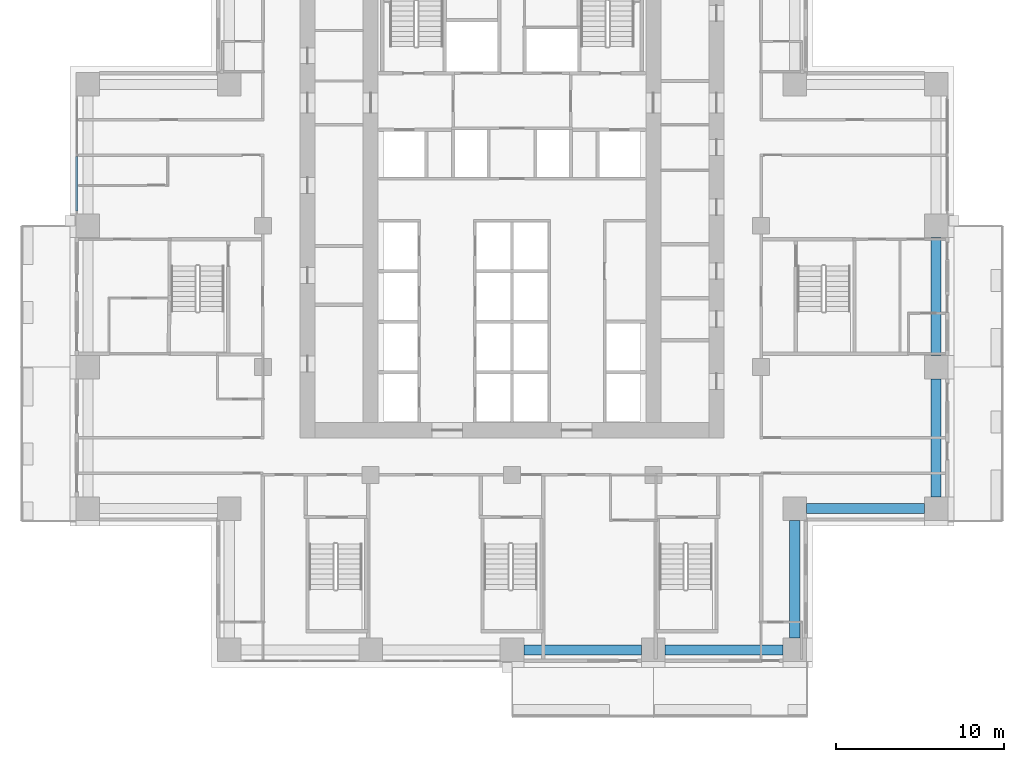
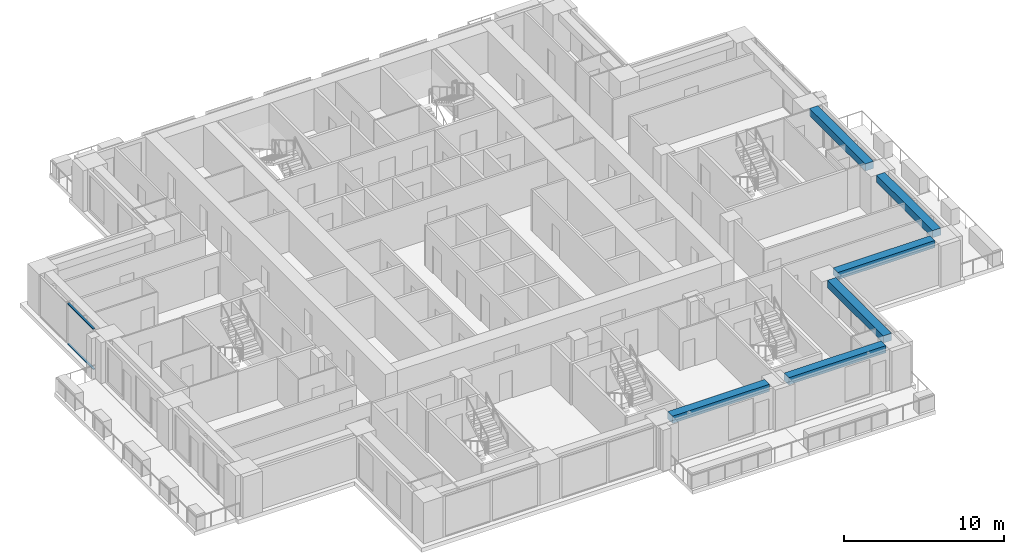
# One storey, part 3 of 17: 6 beams, 2 members, 1 element without a shape of its own.
"""IFC4 building model written with IfcOpenShell, lengths in metres."""

from ifc_helpers import new_model, si_unit, direction, frame, origin, origin_2d, place, context, subcontext, project, spatial, rectangle, extrude, material, material_profile, profile_set, type_object, element, aggregate, save


model = new_model("IFC4")

# Units and contexts
model_context = context("Model", 3, precision=1e-05, world=origin(), true_north=direction((0.0, 1.0)))
body_context = subcontext(model_context, "Body", "Model", "MODEL_VIEW")
ifc_project = project(units=[si_unit("LENGTHUNIT", "METRE"), si_unit("AREAUNIT", "SQUARE_METRE"), si_unit("VOLUMEUNIT", "CUBIC_METRE"), si_unit("PLANEANGLEUNIT", "RADIAN"), si_unit("MASSUNIT", "GRAM", prefix="KILO")], contexts=[model_context])

# Site, building, storey
site_placement = place(None, origin())
site = spatial("IfcSite", under=ifc_project, at=site_placement, CompositionType="ELEMENT")
building_placement = place(site_placement, origin())
building = spatial("IfcBuilding", under=site, at=building_placement, Name="Vermilion Ogive Tower", CompositionType="ELEMENT")
storey_placement = place(building_placement, frame((0.0, 0.0, 51.75)))
storey = spatial("IfcBuildingStorey", under=building, at=storey_placement, Name="L11", CompositionType="ELEMENT", Elevation=51.75)

# Curtain wall, members
ifc_material_1 = material(Name="Low-iron laminated glazing in aluminium frame", Category="aluminium")
curtain_wall_type = type_object("IfcCurtainWallType", Name="Curtain wall CW7", PredefinedType="NOTDEFINED", material=ifc_material_1)
curtain_wall_placement = place(storey_placement, origin())
curtain_wall = element("IfcCurtainWall", 1, at=curtain_wall_placement, inside=storey, type_object=curtain_wall_type, Name="Glazed skin W1", PredefinedType="NOTDEFINED")
ifc_material_2 = material(Name="Aluminium transom", Category="aluminium")
ifc_material_profile_1 = material_profile(ifc_material_2, rectangle(XDim=0.139892578125, YDim=0.06005859375, at=origin_2d()), Name="AL 60x140")
ifc_profile_set_1 = profile_set([ifc_material_profile_1], Name="Aluminium transom")
member_type = type_object("IfcMemberType", Name="CW7 transom 60x140", PredefinedType="USERDEFINED", material=ifc_profile_set_1)
member_1_placement = place(storey_placement, frame((-25.85009765625, 8.31005859375, 0.030029296875), z_axis=(0.0, -1.0, 0.0), x_axis=(1.0, 0.0, 0.0)))
member_1 = element("IfcMember", 2, at=member_1_placement, type_object=member_type, Name="CW7-W1 transom 2.1", ObjectType="TRANSOM", PredefinedType="USERDEFINED", context=body_context, shape_type="SweptSolid", body=[
    extrude(rectangle(XDim=0.139892578125, YDim=0.06005859375, at=origin_2d()), origin(), (0.0, 0.0, 1.0), 3.22998046875),
])
member_2_placement = place(storey_placement, frame((-25.85009765625, 8.31005859375, 3.10009765625), z_axis=(0.0, -1.0, 0.0), x_axis=(1.0, 0.0, 0.0)))
member_2 = element("IfcMember", 3, at=member_2_placement, type_object=member_type, Name="CW7-W1 transom 2.2", ObjectType="TRANSOM", PredefinedType="USERDEFINED", context=body_context, shape_type="SweptSolid", body=[
    extrude(rectangle(XDim=0.139892578125, YDim=0.06005859375, at=origin_2d()), origin(), (0.0, 0.0, 1.0), 3.22998046875),
])
aggregate(curtain_wall, [member_1, member_2])

# Beams
ifc_material_3 = material(Name="Concrete B45", Category="concrete")
ifc_material_profile_2 = material_profile(ifc_material_3, rectangle(XDim=0.60009765625, YDim=0.550048828125, at=origin_2d()), Name="600 x 550")
ifc_profile_set_2 = profile_set([ifc_material_profile_2], Name="Concrete B45")
beam_type = type_object("IfcBeamType", Name="Edge beam 600 x 550 B45", PredefinedType="BEAM", material=ifc_profile_set_2)
for number, where, z_axis, x_axis, name in (
    (4, (0.699951171875, -21.0, 2.85498046875), (1.0, 0.0, 0.0), (0.0, 1.0, 0.0), "L11-EB-3"),
    (5, (9.10009765625, -21.0, 2.85498046875), (1.0, 0.0, 0.0), (0.0, 1.0, 0.0), "L11-EB-4"),
    (6, (16.800048828125, -20.300048828125, 2.85498046875), (0.0, 1.0, 0.0), (-1.0, 0.0, 0.0), "L11-EB-5"),
    (7, (17.5, -12.60009765625, 2.85498046875), (1.0, 0.0, 0.0), (0.0, 1.0, 0.0), "L11-EB-6"),
    (8, (25.199951171875, -11.89990234375, 2.85498046875), (0.0, 1.0, 0.0), (-1.0, 0.0, 0.0), "L11-EB-7"),
    (9, (25.199951171875, -3.5, 2.85498046875), (0.0, 1.0, 0.0), (-1.0, 0.0, 0.0), "L11-EB-8"),
):
    element("IfcBeam", number, at=place(storey_placement, frame(where, z_axis=z_axis, x_axis=x_axis)), inside=storey, type_object=beam_type, Name=name, PredefinedType="BEAM", context=body_context, shape_type="SweptSolid", body=[
        extrude(rectangle(XDim=0.60009765625, YDim=0.550048828125, at=origin_2d()), origin(), (0.0, 0.0, 1.0), 7.0),
    ])

save(model, "model.ifc")
